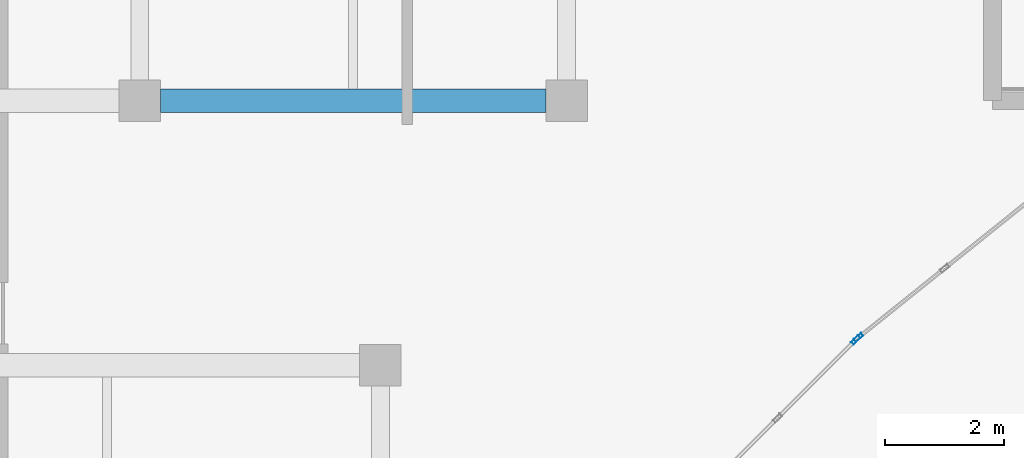
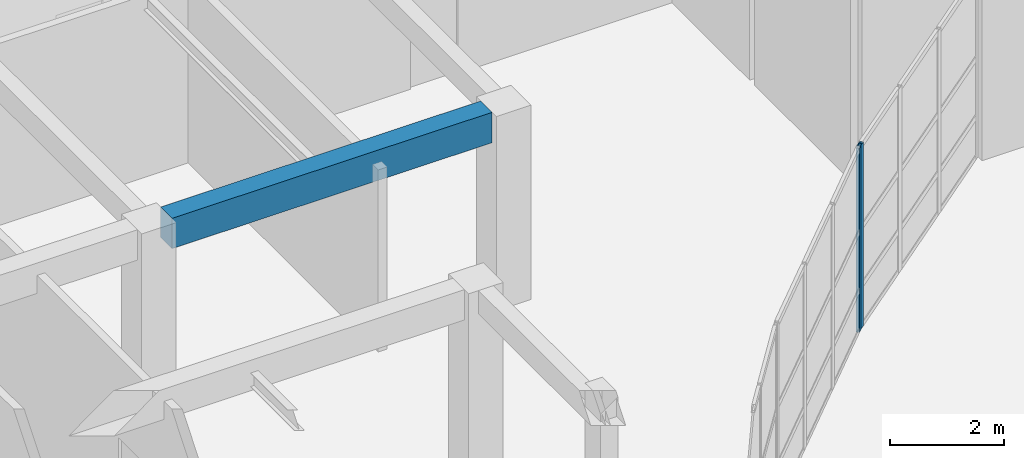
# One storey, part 41 of 114: 2 members, 1 beam, 2 elements without a shape of their own.
"""IFC4 building model written with IfcOpenShell, lengths in metres."""

from ifc_helpers import new_model, si_unit, direction, frame, origin, origin_2d, place, context, subcontext, project, spatial, rectangle, hollow_rectangle, extrude, material, layer, layer_set, material_profile, profile_set, type_object, element, aggregate, save


model = new_model("IFC4")

# Units and contexts
model_context = context("Model", 3, precision=1e-05, world=origin(), true_north=direction((0.0, 1.0)))
body_context = subcontext(model_context, "Body", "Model", "MODEL_VIEW")
ifc_project = project(units=[si_unit("LENGTHUNIT", "METRE"), si_unit("AREAUNIT", "SQUARE_METRE"), si_unit("VOLUMEUNIT", "CUBIC_METRE"), si_unit("PLANEANGLEUNIT", "RADIAN"), si_unit("MASSUNIT", "GRAM", prefix="KILO")], contexts=[model_context])

# Site, building, storey
site_placement = place(None, origin())
site = spatial("IfcSite", under=ifc_project, at=site_placement, CompositionType="ELEMENT")
building_placement = place(site_placement, origin())
building = spatial("IfcBuilding", under=site, at=building_placement, Name="Keldmere Railside Commons", CompositionType="ELEMENT")
storey_placement = place(building_placement, origin())
storey = spatial("IfcBuildingStorey", under=building, at=storey_placement, Name="L00", CompositionType="ELEMENT", Elevation=0.0)

# Beam
ifc_material_1 = material(Name="Concrete H-30 (C30/37)", Category="concrete")
ifc_material_profile_1 = material_profile(ifc_material_1, rectangle(XDim=0.39990234375, YDim=0.64990234375, at=origin_2d()), Name="RC-400x650")
ifc_profile_set_1 = profile_set([ifc_material_profile_1], Name="Concrete H-30 (C30/37)")
beam_type = type_object("IfcBeamType", Name="Residential Spine RC Girder 400x650", PredefinedType="BEAM", material=ifc_profile_set_1)
beam_placement = place(storey_placement, frame((115.85009765625, 100.449951171875, 3.8349609375), z_axis=(1.0, 0.0, 0.0), x_axis=(0.0, 1.0, 0.0)))
element("IfcBeam", 1, at=beam_placement, inside=storey, type_object=beam_type, Name="BG-3 BM-L00-0506", PredefinedType="BEAM", context=body_context, shape_type="SweptSolid", body=[
    extrude(rectangle(XDim=0.39990234375, YDim=0.64990234375, at=origin_2d()), origin(), (0.0, 0.0, 1.0), 6.48291015625),
])

# Curtain wall, member
ifc_material_2 = material(Name="Thermally Broken Aluminium", Category="aluminium")
ifc_layer_1 = layer(ifc_material_2, 0.159912109375, Name="Residential Lounge Frontage CW 4600x3600")
ifc_layer_set_1 = layer_set([ifc_layer_1], Name="Thermally Broken Aluminium")
curtain_wall_type_1 = type_object("IfcCurtainWallType", Name="Residential Lounge Frontage CW 4600x3600", PredefinedType="NOTDEFINED", material=ifc_layer_set_1)
curtain_wall_1_placement = place(storey_placement, origin())
curtain_wall_1 = element("IfcCurtainWall", 2, at=curtain_wall_1_placement, inside=storey, type_object=curtain_wall_type_1, Name="CW-11 CW-L00-086", PredefinedType="NOTDEFINED")
ifc_material_profile_2 = material_profile(ifc_material_2, hollow_rectangle(XDim=0.06494140625, YDim=0.159912109375, WallThickness=0.00390625, at=origin_2d()), Name="ALU-MULL-65x160")
ifc_profile_set_2 = profile_set([ifc_material_profile_2], Name="Thermally Broken Aluminium")
member_type = type_object("IfcMemberType", Name="Unitised Curtain Wall Mullion 65x160", PredefinedType="MULLION", material=ifc_profile_set_2)
member_1_placement = place(storey_placement, frame((127.547119140625, 96.423095703125, 0.0), z_axis=(0.0, 0.0, 1.0), x_axis=(0.707106781187, -0.707106781187, 0.0)))
member_1 = element("IfcMember", 3, at=member_1_placement, type_object=member_type, Name="CW-11 mullion 1", PredefinedType="MULLION", context=body_context, shape_type="SweptSolid", body=[
    extrude(hollow_rectangle(XDim=0.06494140625, YDim=0.159912109375, WallThickness=0.00390625, at=origin_2d()), origin(), (0.0, 0.0, 1.0), 3.93994140625),
])
aggregate(curtain_wall_1, [member_1])

ifc_layer_2 = layer(ifc_material_2, 0.159912109375, Name="Residential Ground Entrance Lobby CW 4000x3600")
ifc_layer_set_2 = layer_set([ifc_layer_2], Name="Thermally Broken Aluminium")
curtain_wall_type_2 = type_object("IfcCurtainWallType", Name="Residential Ground Entrance Lobby CW 4000x3600", PredefinedType="NOTDEFINED", material=ifc_layer_set_2)
curtain_wall_2_placement = place(storey_placement, origin())
curtain_wall_2 = element("IfcCurtainWall", 4, at=curtain_wall_2_placement, inside=storey, type_object=curtain_wall_type_2, Name="CW-10 CW-L00-087", PredefinedType="NOTDEFINED")
member_2_placement = place(storey_placement, frame((127.595458984375, 96.46630859375, 0.0), z_axis=(0.0, 0.0, 1.0), x_axis=(0.625768080915, -0.780009172323, 0.0)))
member_2 = element("IfcMember", 5, at=member_2_placement, type_object=member_type, Name="CW-10 mullion 4", PredefinedType="MULLION", context=body_context, shape_type="SweptSolid", body=[
    extrude(hollow_rectangle(XDim=0.06494140625, YDim=0.159912109375, WallThickness=0.00390625, at=origin_2d()), origin(), (0.0, 0.0, 1.0), 3.93994140625),
])
aggregate(curtain_wall_2, [member_2])

save(model, "model.ifc")
